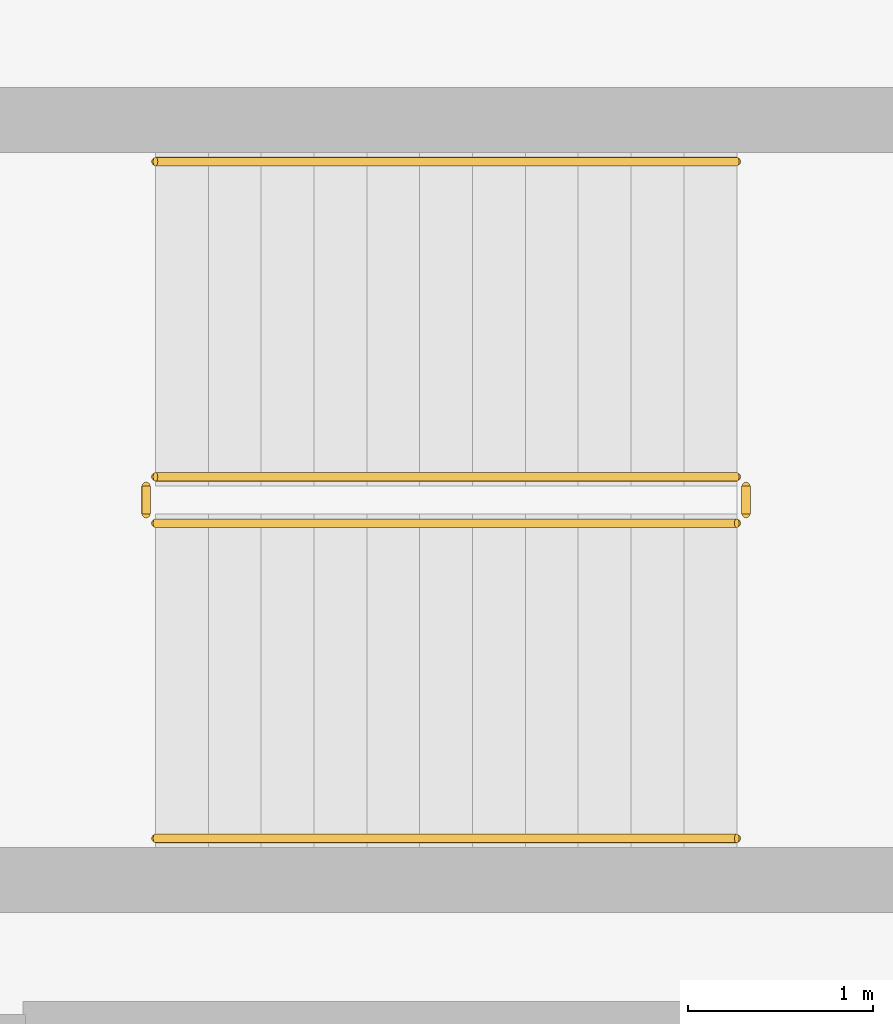
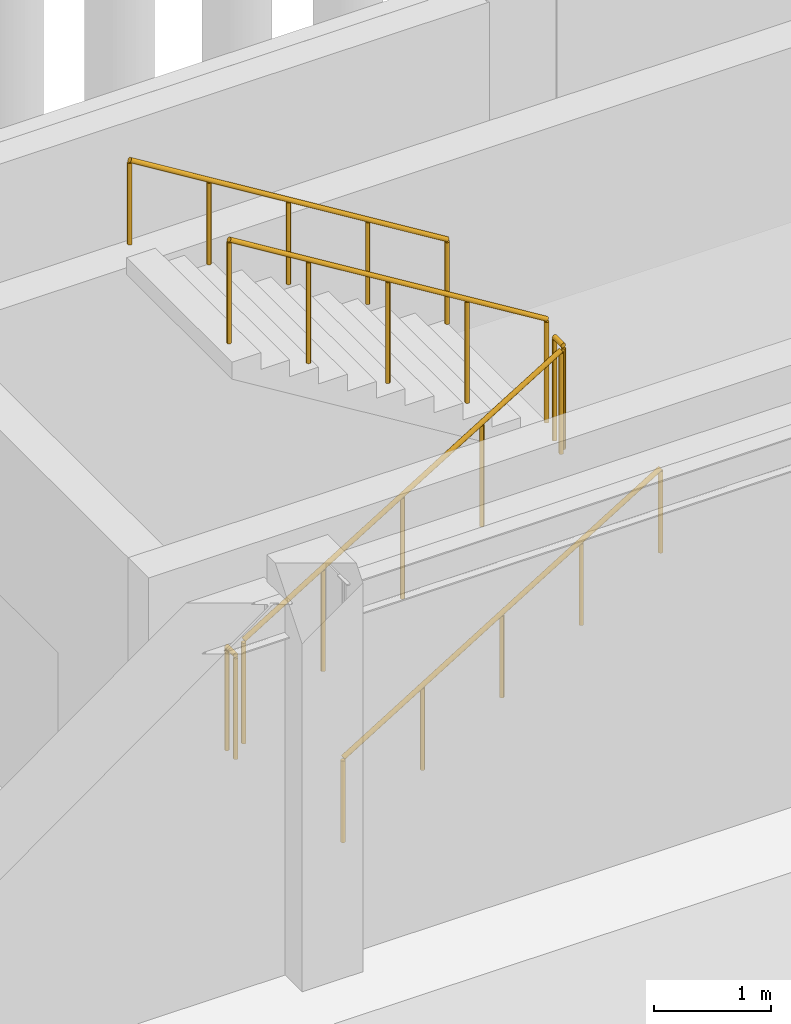
# One storey, part 30 of 31: 6 railings.
"""IFC4 building model written with IfcOpenShell, lengths in metres."""

import ifcopenshell
import ifcopenshell.guid

model = None  # the IFC model being written
_history = None  # IfcOwnerHistory: only IFC2X3 demands one
_inside = {}  # id of a spatial element -> (the spatial element, [elements in it])
_under = {}  # id of a project, library or spatial element -> (it, [spatial elements below it])
_declared = {}  # id of a project -> (the project, [libraries it declares])
_typed = {}  # id of a type object -> (the type object, [elements of that type])
_made_of = {}  # id of a material, layer set ... -> (it, [elements and type objects made of it])


def new_model(schema):
    """Start an empty IFC model of exactly this schema.

    Asked for "IFC4X3", IfcOpenShell would pick the latest addendum, in which some entities
    have other attributes; the version numbers below select the first issue.
    IFC2X3 requires an IfcOwnerHistory on every rooted entity: one is made here for all.
    """
    global model, _history
    if schema == "IFC4X3":
        model = ifcopenshell.file(schema_version=(4, 3, 0, 0))
    else:
        model = ifcopenshell.file(schema=schema)
    _inside.clear()
    _under.clear()
    _declared.clear()
    _typed.clear()
    _made_of.clear()
    _history = None
    if model.schema == "IFC2X3":
        org = make("IfcOrganization", Name="unknown")
        user = make(
            "IfcPersonAndOrganization",
            ThePerson=make("IfcPerson", FamilyName="unknown"),
            TheOrganization=org,
        )
        app = make(
            "IfcApplication",
            ApplicationDeveloper=org,
            Version="unknown",
            ApplicationFullName="unknown",
            ApplicationIdentifier="unknown",
        )
        _history = make(
            "IfcOwnerHistory",
            OwningUser=user,
            OwningApplication=app,
            ChangeAction="ADDED",
            CreationDate=0,
        )
    return model


def make(cls, **values):
    """One entity of the class cls with the attributes given. An attribute that is None is left unset."""
    return model.create_entity(
        cls, **{name: value for name, value in values.items() if value is not None}
    )


def rooted(cls, **values):
    """An entity with a GlobalId (a new one), such as an element, a storey or a relation."""
    return make(cls, GlobalId=ifcopenshell.guid.new(), OwnerHistory=_history, **values)


def si_unit(unit_type, name, prefix=None):
    """IfcSIUnit, for example si_unit("LENGTHUNIT", "METRE", prefix="MILLI")."""
    return make("IfcSIUnit", UnitType=unit_type, Prefix=prefix, Name=name)


def assignment(units):
    """IfcUnitAssignment: the units of a project."""
    return None if units is None else make("IfcUnitAssignment", Units=units)


def point(xyz):
    """IfcCartesianPoint."""
    return None if xyz is None else make("IfcCartesianPoint", Coordinates=xyz)


def direction(xyz):
    """IfcDirection."""
    return None if xyz is None else make("IfcDirection", DirectionRatios=xyz)


def frame(location, z_axis=None, x_axis=None):
    """IfcAxis2Placement3D, a coordinate frame: its origin and axes. An axis left out is left unset."""
    return make(
        "IfcAxis2Placement3D",
        Location=point(location),
        Axis=direction(z_axis),
        RefDirection=direction(x_axis),
    )


def frame_2d(location, x_axis=None):
    """IfcAxis2Placement2D, a coordinate frame in the plane: its origin and x axis."""
    return make(
        "IfcAxis2Placement2D", Location=point(location), RefDirection=direction(x_axis)
    )


def origin():
    """The frame at (0, 0, 0) with its axes left unset."""
    return frame((0.0, 0.0, 0.0))


def origin_2d():
    """The frame at (0, 0) in the plane with its x axis left unset."""
    return frame_2d((0.0, 0.0))


def place(relative_to, where):
    """IfcLocalPlacement: puts the frame where relative to a parent placement (None: the world)."""
    return make(
        "IfcLocalPlacement", PlacementRelTo=relative_to, RelativePlacement=where
    )


def context(
    kind, dimensions, precision=None, world=None, true_north=None, identifier=None
):
    """IfcGeometricRepresentationContext, for example the 3D "Model" context."""
    return make(
        "IfcGeometricRepresentationContext",
        ContextIdentifier=identifier,
        ContextType=kind,
        CoordinateSpaceDimension=dimensions,
        Precision=precision,
        WorldCoordinateSystem=world,
        TrueNorth=true_north,
    )


def subcontext(parent, identifier, kind, view, scale=None):
    """IfcGeometricRepresentationSubContext, for example "Body" below "Model"."""
    return make(
        "IfcGeometricRepresentationSubContext",
        ContextIdentifier=identifier,
        ContextType=kind,
        ParentContext=parent,
        TargetScale=scale,
        TargetView=view,
    )


def project(units=None, contexts=None):
    """IfcProject with its units and contexts."""
    return rooted(
        "IfcProject",
        Name="project",
        RepresentationContexts=contexts,
        UnitsInContext=assignment(units),
    )


def spatial(cls, under=None, at=None, **own):
    """A site, building, storey or space (cls), placed at a placement, below another one or the project."""
    s = rooted(cls, ObjectPlacement=at, **own)
    if under is not None:
        _under.setdefault(under.id(), (under, []))[1].append(s)
    return s


def profile(cls, at=None, kind="AREA", **sizes):
    """A parametric profile (cls). Its sizes go by their IFC names, for example OverallWidth=200.0."""
    return make(cls, ProfileType=kind, Position=at, **sizes)


def circle(**sizes):
    """IfcCircleProfileDef."""
    return profile("IfcCircleProfileDef", **sizes)


def extrude(swept, where, along, depth):
    """IfcExtrudedAreaSolid: the profile swept, set in the frame where, extruded along a direction by depth."""
    return make(
        "IfcExtrudedAreaSolid",
        SweptArea=swept,
        Position=where,
        ExtrudedDirection=direction(along),
        Depth=depth,
    )


def shape(context_of_items, identifier, shape_type, items):
    """IfcShapeRepresentation: the items that make up one representation, for example the "Body"."""
    return make(
        "IfcShapeRepresentation",
        ContextOfItems=context_of_items,
        RepresentationIdentifier=identifier,
        RepresentationType=shape_type,
        Items=items,
    )


def material(Name=None, Category=None):
    """IfcMaterial."""
    return make("IfcMaterial", Name=Name, Category=Category)


def made_of(thing, what):
    """Note that an element or type object is made of a material, layer set ...; save() writes the relation."""
    if what is not None:
        _made_of.setdefault(what.id(), (what, []))[1].append(thing)
    return thing


def type_object(cls, material=None, **own):
    """A type object (cls), such as IfcWallType, which elements share."""
    return made_of(rooted(cls, **own), material)


def element(
    cls,
    number,
    at=None,
    inside=None,
    cuts=None,
    type_object=None,
    material=None,
    context=None,
    identifier="Body",
    shape_type=None,
    held_by="IfcProductDefinitionShape",
    body=None,
    shapes=None,
    **own,
):
    """One element of the class cls, such as IfcWall. Its Tag is "e" and its number.

    at: its placement. inside: the storey or other place that contains it. cuts: it is an
    opening in that element (IfcRelVoidsElement). A single representation is given by context,
    identifier, shape_type and body (its items); several are given by shapes. held_by: the class
    of the entity that holds the representations. save() writes the other relations.
    """
    e = rooted(cls, Tag="e%d" % number, ObjectPlacement=at, **own)
    if body is not None:
        shapes = [shape(context, identifier, shape_type, body)]
    if shapes is not None:
        e.Representation = make(held_by, Representations=shapes)
    if inside is not None:
        _inside.setdefault(inside.id(), (inside, []))[1].append(e)
    if cuts is not None:
        rooted(
            "IfcRelVoidsElement", RelatingBuildingElement=cuts, RelatedOpeningElement=e
        )
    if type_object is not None:
        _typed.setdefault(type_object.id(), (type_object, []))[1].append(e)
    return made_of(e, material)


def aggregate(whole, parts):
    """IfcRelAggregates: a whole, such as a stair, and the parts it consists of."""
    return rooted("IfcRelAggregates", RelatingObject=whole, RelatedObjects=parts)


def save(model, path):
    """Write the relations noted so far, then the file.

    IfcRelAggregates (storeys below a building ...), IfcRelContainedInSpatialStructure (elements
    in a storey), IfcRelDefinesByType, IfcRelAssociatesMaterial and IfcRelDeclares: one each for
    every whole, place, type object, material and project.
    """
    for whole, parts in _under.values():
        aggregate(whole, parts)
    for where, things in _inside.values():
        rooted(
            "IfcRelContainedInSpatialStructure",
            RelatedElements=things,
            RelatingStructure=where,
        )
    for kind, things in _typed.values():
        rooted("IfcRelDefinesByType", RelatedObjects=things, RelatingType=kind)
    for what, things in _made_of.values():
        rooted("IfcRelAssociatesMaterial", RelatedObjects=things, RelatingMaterial=what)
    for by, libraries in _declared.values():
        rooted("IfcRelDeclares", RelatingContext=by, RelatedDefinitions=libraries)
    model.write(path)


model = new_model("IFC4")

# Units and contexts
model_context = context("Model", 3, precision=1e-05, world=origin(), true_north=direction((0.0, 1.0)))
body_context = subcontext(model_context, "Body", "Model", "MODEL_VIEW")
ifc_project = project(units=[si_unit("LENGTHUNIT", "METRE"), si_unit("AREAUNIT", "SQUARE_METRE"), si_unit("VOLUMEUNIT", "CUBIC_METRE"), si_unit("PLANEANGLEUNIT", "RADIAN"), si_unit("MASSUNIT", "GRAM", prefix="KILO")], contexts=[model_context])

# Site, building, storey
site_placement = place(None, origin())
site = spatial("IfcSite", under=ifc_project, at=site_placement, CompositionType="ELEMENT")
building_placement = place(site_placement, origin())
building = spatial("IfcBuilding", under=site, at=building_placement, Name="Brisavento Harbour Community Centre", CompositionType="ELEMENT")
storey_placement = place(building_placement, frame((0.0, 0.0, -4.199951171875)))
storey = spatial("IfcBuildingStorey", under=building, at=storey_placement, Name="B1", CompositionType="ELEMENT", Elevation=-4.199951171875)

# Railings
ifc_material = material(Name="Stainless steel 1.4401", Category="steel")
railing_type_1 = type_object("IfcRailingType", Name="RL-ST-GUARD", PredefinedType="GUARDRAIL", material=ifc_material)
railing_1_placement = place(storey_placement, frame((160.60009765625, 82.14990234375, 0.175048828125)))
element("IfcRailing", 1, at=railing_1_placement, inside=storey, type_object=railing_type_1, Name="B1 ST-06 stair guard 1", PredefinedType="GUARDRAIL", context=body_context, shape_type="SweptSolid", body=[
    extrude(circle(Radius=0.02392578125, at=origin_2d()), frame((0.0, 0.0, 1.076171875), z_axis=(0.852195625947, 0.0, 0.523223293744), x_axis=(0.0, 1.0, 0.0)), (0.0, 0.0, 1.0), 3.6787109375),
    extrude(circle(Radius=0.02099609375, at=origin_2d()), origin(), (0.0, 0.0, 1.0), 1.052001953125),
    extrude(circle(Radius=0.02099609375, at=origin_2d()), frame((0.78369140625, 0.0, 0.481201171875)), (0.0, 0.0, 1.0), 1.052001953125),
    extrude(circle(Radius=0.02099609375, at=origin_2d()), frame((1.5673828125, 0.0, 0.96240234375)), (0.0, 0.0, 1.0), 1.052001953125),
    extrude(circle(Radius=0.02099609375, at=origin_2d()), frame((2.351318359375, 0.0, 1.443603515625)), (0.0, 0.0, 1.0), 1.052001953125),
    extrude(circle(Radius=0.02099609375, at=origin_2d()), frame((3.135009765625, 0.0, 1.9248046875)), (0.0, 0.0, 1.0), 1.052001953125),
])
railing_2_placement = place(storey_placement, frame((163.784912109375, 82.199951171875, 2.099853515625)))
element("IfcRailing", 2, at=railing_2_placement, inside=storey, type_object=railing_type_1, Name="B1 ST-06 stair guard 2", PredefinedType="GUARDRAIL", context=body_context, shape_type="SweptSolid", body=[
    extrude(circle(Radius=0.02392578125, at=origin_2d()), frame((0.0, 0.0, 1.076171875), z_axis=(0.0, 1.0, 0.0), x_axis=(-1.0, 0.0, 0.0)), (0.0, 0.0, 1.0), 0.150146484375),
    extrude(circle(Radius=0.02099609375, at=origin_2d()), origin(), (0.0, 0.0, 1.0), 1.052001953125),
    extrude(circle(Radius=0.02099609375, at=origin_2d()), frame((0.0, 0.150146484375, 0.0)), (0.0, 0.0, 1.0), 1.052001953125),
])
railing_3_placement = place(storey_placement, frame((163.735107421875, 82.39990234375, 2.27490234375)))
element("IfcRailing", 3, at=railing_3_placement, inside=storey, type_object=railing_type_1, Name="B1 ST-06 stair guard 3", PredefinedType="GUARDRAIL", context=body_context, shape_type="SweptSolid", body=[
    extrude(circle(Radius=0.02392578125, at=origin_2d()), frame((0.0, 0.0, 1.076171875), z_axis=(-0.852166034122, 0.0, 0.523271488128), x_axis=(0.0, -1.0, 0.0)), (0.0, 0.0, 1.0), 3.678955078125),
    extrude(circle(Radius=0.02099609375, at=origin_2d()), origin(), (0.0, 0.0, 1.0), 1.052001953125),
    extrude(circle(Radius=0.02099609375, at=origin_2d()), frame((-0.78369140625, 0.0, 0.481201171875)), (0.0, 0.0, 1.0), 1.052001953125),
    extrude(circle(Radius=0.02099609375, at=origin_2d()), frame((-1.5673828125, 0.0, 0.96240234375)), (0.0, 0.0, 1.0), 1.052001953125),
    extrude(circle(Radius=0.02099609375, at=origin_2d()), frame((-2.351318359375, 0.0, 1.44384765625)), (0.0, 0.0, 1.0), 1.052001953125),
    extrude(circle(Radius=0.02099609375, at=origin_2d()), frame((-3.135009765625, 0.0, 1.925048828125)), (0.0, 0.0, 1.0), 1.052001953125),
])
railing_4_placement = place(storey_placement, frame((160.550048828125, 82.199951171875, 0.0)))
element("IfcRailing", 4, at=railing_4_placement, inside=storey, type_object=railing_type_1, Name="B1 ST-06 stair guard 4", PredefinedType="GUARDRAIL", context=body_context, shape_type="SweptSolid", body=[
    extrude(circle(Radius=0.02392578125, at=origin_2d()), frame((0.0, 0.0, 1.076171875), z_axis=(0.0, 1.0, 0.0), x_axis=(-1.0, 0.0, 0.0)), (0.0, 0.0, 1.0), 0.150146484375),
    extrude(circle(Radius=0.02099609375, at=origin_2d()), origin(), (0.0, 0.0, 1.0), 1.052001953125),
    extrude(circle(Radius=0.02099609375, at=origin_2d()), frame((0.0, 0.150146484375, 0.0)), (0.0, 0.0, 1.0), 1.052001953125),
])
railing_type_2 = type_object("IfcRailingType", Name="RL-ST-HAND", PredefinedType="HANDRAIL", material=ifc_material)
railing_5_placement = place(storey_placement, frame((160.60009765625, 80.449951171875, 0.175048828125)))
element("IfcRailing", 5, at=railing_5_placement, inside=storey, type_object=railing_type_2, Name="B1 ST-06 stair handrail 1", PredefinedType="HANDRAIL", context=body_context, shape_type="SweptSolid", body=[
    extrude(circle(Radius=0.02392578125, at=origin_2d()), frame((0.0, 0.0, 0.8759765625), z_axis=(0.852195625947, 0.0, 0.523223293744), x_axis=(0.0, 1.0, 0.0)), (0.0, 0.0, 1.0), 3.6787109375),
    extrude(circle(Radius=0.02099609375, at=origin_2d()), origin(), (0.0, 0.0, 1.0), 0.851806640625),
    extrude(circle(Radius=0.02099609375, at=origin_2d()), frame((0.78369140625, 0.0, 0.481201171875)), (0.0, 0.0, 1.0), 0.851806640625),
    extrude(circle(Radius=0.02099609375, at=origin_2d()), frame((1.5673828125, 0.0, 0.96240234375)), (0.0, 0.0, 1.0), 0.851806640625),
    extrude(circle(Radius=0.02099609375, at=origin_2d()), frame((2.351318359375, 0.0, 1.443603515625)), (0.0, 0.0, 1.0), 0.851806640625),
    extrude(circle(Radius=0.02099609375, at=origin_2d()), frame((3.135009765625, 0.0, 1.9248046875)), (0.0, 0.0, 1.0), 0.851806640625),
])
railing_6_placement = place(storey_placement, frame((163.735107421875, 84.10009765625, 2.27490234375)))
element("IfcRailing", 6, at=railing_6_placement, inside=storey, type_object=railing_type_2, Name="B1 ST-06 stair handrail 2", PredefinedType="HANDRAIL", context=body_context, shape_type="SweptSolid", body=[
    extrude(circle(Radius=0.02392578125, at=origin_2d()), frame((0.0, 0.0, 0.8759765625), z_axis=(-0.852166034122, 0.0, 0.523271488128), x_axis=(0.0, -1.0, 0.0)), (0.0, 0.0, 1.0), 3.678955078125),
    extrude(circle(Radius=0.02099609375, at=origin_2d()), origin(), (0.0, 0.0, 1.0), 0.851806640625),
    extrude(circle(Radius=0.02099609375, at=origin_2d()), frame((-0.78369140625, 0.0, 0.481201171875)), (0.0, 0.0, 1.0), 0.851806640625),
    extrude(circle(Radius=0.02099609375, at=origin_2d()), frame((-1.5673828125, 0.0, 0.96240234375)), (0.0, 0.0, 1.0), 0.851806640625),
    extrude(circle(Radius=0.02099609375, at=origin_2d()), frame((-2.351318359375, 0.0, 1.44384765625)), (0.0, 0.0, 1.0), 0.851806640625),
    extrude(circle(Radius=0.02099609375, at=origin_2d()), frame((-3.135009765625, 0.0, 1.925048828125)), (0.0, 0.0, 1.0), 0.851806640625),
])

save(model, "model.ifc")
